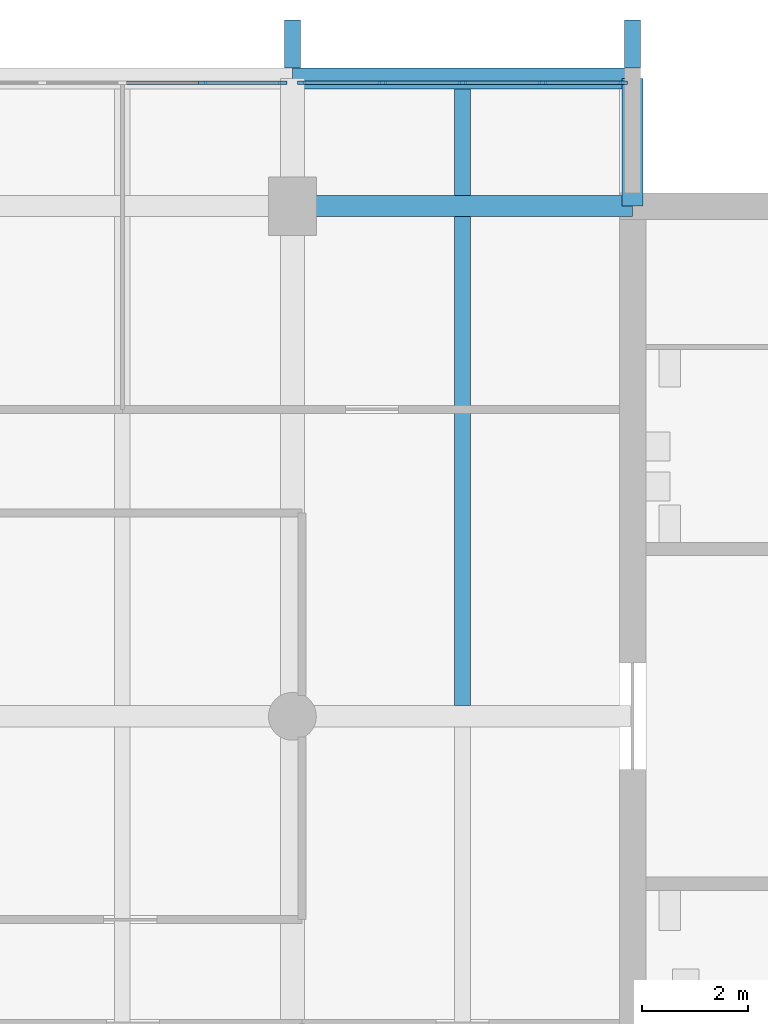
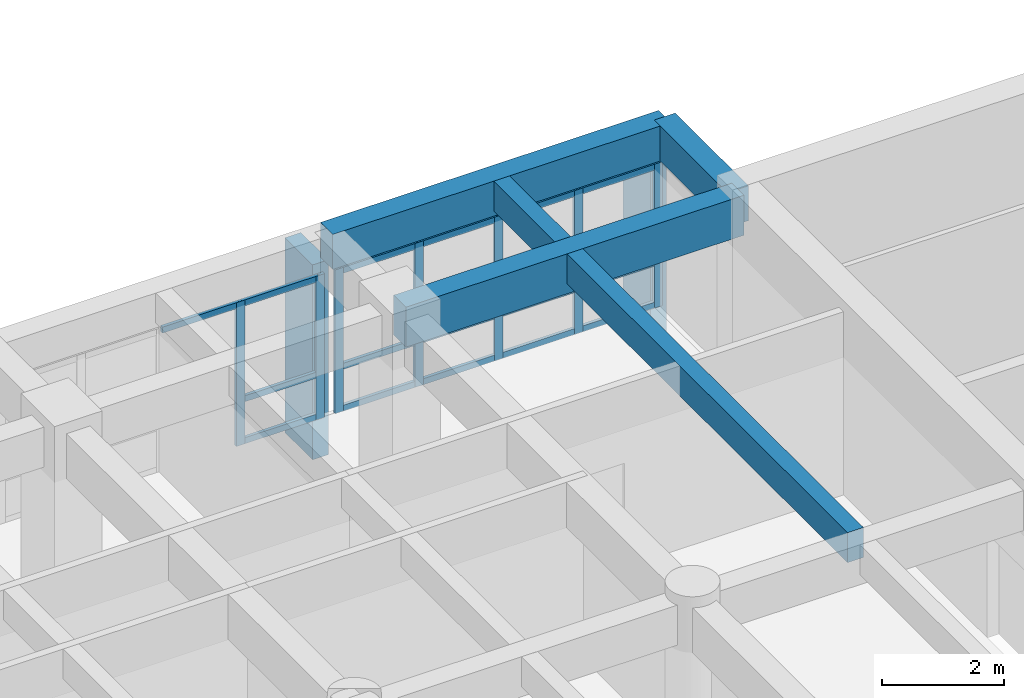
# One storey, part 6 of 15: 25 members, 5 beams, 2 elements without a shape of their own.
"""IFC4 building model written with IfcOpenShell, lengths in metres."""

from ifc_helpers import new_model, si_unit, direction, frame, origin, origin_2d, place, context, subcontext, project, spatial, rectangle, extrude, material, layer, layer_set, material_profile, profile_set, type_object, element, aggregate, save


model = new_model("IFC4")

# Units and contexts
model_context = context("Model", 3, precision=1e-05, world=origin(), true_north=direction((0.0, 1.0)))
body_context = subcontext(model_context, "Body", "Model", "MODEL_VIEW")
ifc_project = project(units=[si_unit("LENGTHUNIT", "METRE"), si_unit("AREAUNIT", "SQUARE_METRE"), si_unit("VOLUMEUNIT", "CUBIC_METRE"), si_unit("PLANEANGLEUNIT", "RADIAN"), si_unit("MASSUNIT", "GRAM", prefix="KILO")], contexts=[model_context])

# Site, building, storey
site_placement = place(None, origin())
site = spatial("IfcSite", under=ifc_project, at=site_placement, CompositionType="ELEMENT")
building_placement = place(site_placement, origin())
building = spatial("IfcBuilding", under=site, at=building_placement, Name="Fogon Plaza Fire Station and Headquarters Tower", CompositionType="ELEMENT")
storey_placement = place(building_placement, frame((0.0, 0.0, 48.300048828125)))
storey = spatial("IfcBuildingStorey", under=building, at=storey_placement, Name="L12", CompositionType="ELEMENT", Elevation=48.300048828125)

# Beams
ifc_material_1 = material(Name="Concrete C40", Category="concrete")
ifc_material_profile_1 = material_profile(ifc_material_1, rectangle(XDim=0.39990234375, YDim=0.699951171875, at=origin_2d()), Name="RC 400x700")
ifc_profile_set_1 = profile_set([ifc_material_profile_1], Name="Concrete C40")
beam_type_1 = type_object("IfcBeamType", Name="BEAM RC 400x700", PredefinedType="BEAM", material=ifc_profile_set_1)
beam_1_placement = place(storey_placement, frame((57.60009765625, 55.199951171875, 3.329833984375), z_axis=(1.0, 0.0, 0.0), x_axis=(0.0, 1.0, 0.0)))
element("IfcBeam", 1, at=beam_1_placement, inside=storey, type_object=beam_type_1, Name="beam-L12-050", PredefinedType="BEAM", context=body_context, shape_type="SweptSolid", body=[
    extrude(rectangle(XDim=0.39990234375, YDim=0.699951171875, at=origin_2d()), origin(), (0.0, 0.0, 1.0), 6.39990234375),
])
ifc_material_2 = material(Name="Concrete C40", Category="concrete")
ifc_material_profile_2 = material_profile(ifc_material_2, rectangle(XDim=0.39990234375, YDim=0.699951171875, at=origin_2d()), Name="RC 400x700")
ifc_profile_set_2 = profile_set([ifc_material_profile_2], Name="Concrete C40")
beam_type_2 = type_object("IfcBeamType", Name="BEAM RC 400x700 SPAN 0.0 TO 3.0 M", PredefinedType="BEAM", material=ifc_profile_set_2)
beam_2_placement = place(storey_placement, frame((64.0, 52.800048828125, 3.329833984375), z_axis=(0.0, 1.0, 0.0), x_axis=(-1.0, 0.0, 0.0)))
element("IfcBeam", 2, at=beam_2_placement, inside=storey, type_object=beam_type_2, Name="beam-L12-054", PredefinedType="BEAM", context=body_context, shape_type="SweptSolid", body=[
    extrude(rectangle(XDim=0.39990234375, YDim=0.699951171875, at=origin_2d()), origin(), (0.0, 0.0, 1.0), 2.39990234375),
])
ifc_material_3 = material(Name="Concrete C40", Category="concrete")
ifc_material_profile_3 = material_profile(ifc_material_3, rectangle(XDim=0.39990234375, YDim=0.800048828125, at=origin_2d()), Name="RC 400x800")
ifc_profile_set_3 = profile_set([ifc_material_profile_3], Name="Concrete C40")
beam_type_3 = type_object("IfcBeamType", Name="BEAM RC 400x800", PredefinedType="BEAM", material=ifc_profile_set_3)
beam_3_placement = place(storey_placement, frame((57.60009765625, 52.800048828125, 3.280029296875), z_axis=(1.0, 0.0, 0.0), x_axis=(0.0, 1.0, 0.0)))
element("IfcBeam", 3, at=beam_3_placement, inside=storey, type_object=beam_type_3, Name="beam-L12-038", PredefinedType="BEAM", context=body_context, shape_type="SweptSolid", body=[
    extrude(rectangle(XDim=0.39990234375, YDim=0.800048828125, at=origin_2d()), origin(), (0.0, 0.0, 1.0), 6.39990234375),
])

# Curtain wall, members
ifc_material_4 = material(Name="Aluminium and glass", Category="aluminium")
ifc_layer = layer(ifc_material_4, 0.14990234375)
ifc_layer_set = layer_set([ifc_layer], Name="Aluminium and glass")
curtain_wall_type = type_object("IfcCurtainWallType", Name="Unitised Curtain Wall Run 6100x2880", PredefinedType="NOTDEFINED", material=ifc_layer_set)
curtain_wall_1_placement = place(storey_placement, origin())
curtain_wall_1 = element("IfcCurtainWall", 4, at=curtain_wall_1_placement, inside=storey, type_object=curtain_wall_type, Name="CW-6100x2880 N5 L12", PredefinedType="NOTDEFINED")
ifc_material_5 = material(Name="Aluminium", Category="aluminium")
ifc_material_profile_4 = material_profile(ifc_material_5, rectangle(XDim=0.06005859375, YDim=0.159912109375, at=origin_2d()), Name="Curtain Wall Mullion 60x160")
ifc_profile_set_4 = profile_set([ifc_material_profile_4], Name="Aluminium")
member_type_1 = type_object("IfcMemberType", Name="Curtain Wall Mullion 60x160", PredefinedType="MULLION", material=ifc_profile_set_4)
member_1_placement = place(storey_placement, frame((55.909912109375, 55.1201171875, 0.0), z_axis=(0.0, 0.0, 1.0), x_axis=(0.0, 1.0, 0.0)))
member_1 = element("IfcMember", 5, at=member_1_placement, type_object=member_type_1, Name="CW-6100x2880 mullion 4", PredefinedType="MULLION", context=body_context, shape_type="SweptSolid", body=[
    extrude(rectangle(XDim=0.06005859375, YDim=0.159912109375, at=origin_2d()), origin(), (0.0, 0.0, 1.0), 2.8798828125),
])
member_2_placement = place(storey_placement, frame((57.419921875, 55.1201171875, 0.0), z_axis=(0.0, 0.0, 1.0), x_axis=(0.0, 1.0, 0.0)))
member_2 = element("IfcMember", 6, at=member_2_placement, type_object=member_type_1, Name="CW-6100x2880 mullion 5", PredefinedType="MULLION", context=body_context, shape_type="SweptSolid", body=[
    extrude(rectangle(XDim=0.06005859375, YDim=0.159912109375, at=origin_2d()), origin(), (0.0, 0.0, 1.0), 2.8798828125),
])

curtain_wall_2_placement = place(storey_placement, origin())
curtain_wall_2 = element("IfcCurtainWall", 7, at=curtain_wall_2_placement, inside=storey, type_object=curtain_wall_type, Name="CW-6100x2880 N6 L12", PredefinedType="NOTDEFINED")
member_3_placement = place(storey_placement, frame((57.780029296875, 55.1201171875, 0.0), z_axis=(0.0, 0.0, 1.0), x_axis=(0.0, 1.0, 0.0)))
member_3 = element("IfcMember", 8, at=member_3_placement, type_object=member_type_1, Name="CW-6100x2880 mullion 1", PredefinedType="MULLION", context=body_context, shape_type="SweptSolid", body=[
    extrude(rectangle(XDim=0.06005859375, YDim=0.159912109375, at=origin_2d()), origin(), (0.0, 0.0, 1.0), 2.8798828125),
])
member_4_placement = place(storey_placement, frame((59.2900390625, 55.1201171875, 0.0), z_axis=(0.0, 0.0, 1.0), x_axis=(0.0, 1.0, 0.0)))
member_4 = element("IfcMember", 9, at=member_4_placement, type_object=member_type_1, Name="CW-6100x2880 mullion 2", PredefinedType="MULLION", context=body_context, shape_type="SweptSolid", body=[
    extrude(rectangle(XDim=0.06005859375, YDim=0.159912109375, at=origin_2d()), origin(), (0.0, 0.0, 1.0), 2.8798828125),
])
member_5_placement = place(storey_placement, frame((60.800048828125, 55.1201171875, 0.0), z_axis=(0.0, 0.0, 1.0), x_axis=(0.0, 1.0, 0.0)))
member_5 = element("IfcMember", 10, at=member_5_placement, type_object=member_type_1, Name="CW-6100x2880 mullion 3", PredefinedType="MULLION", context=body_context, shape_type="SweptSolid", body=[
    extrude(rectangle(XDim=0.06005859375, YDim=0.159912109375, at=origin_2d()), origin(), (0.0, 0.0, 1.0), 2.8798828125),
])
member_6_placement = place(storey_placement, frame((62.31005859375, 55.1201171875, 0.0), z_axis=(0.0, 0.0, 1.0), x_axis=(0.0, 1.0, 0.0)))
member_6 = element("IfcMember", 11, at=member_6_placement, type_object=member_type_1, Name="CW-6100x2880 mullion 4", PredefinedType="MULLION", context=body_context, shape_type="SweptSolid", body=[
    extrude(rectangle(XDim=0.06005859375, YDim=0.159912109375, at=origin_2d()), origin(), (0.0, 0.0, 1.0), 2.8798828125),
])
member_7_placement = place(storey_placement, frame((63.820068359375, 55.1201171875, 0.0), z_axis=(0.0, 0.0, 1.0), x_axis=(0.0, 1.0, 0.0)))
member_7 = element("IfcMember", 12, at=member_7_placement, type_object=member_type_1, Name="CW-6100x2880 mullion 5", PredefinedType="MULLION", context=body_context, shape_type="SweptSolid", body=[
    extrude(rectangle(XDim=0.06005859375, YDim=0.159912109375, at=origin_2d()), origin(), (0.0, 0.0, 1.0), 2.8798828125),
])

# Member
ifc_material_6 = material(Name="Aluminium", Category="aluminium")
ifc_material_profile_5 = material_profile(ifc_material_6, rectangle(XDim=0.06005859375, YDim=0.1201171875, at=origin_2d()), Name="Curtain Wall Transom 60x120")
ifc_profile_set_5 = profile_set([ifc_material_profile_5], Name="Aluminium")
member_type_2 = type_object("IfcMemberType", Name="Curtain Wall Transom 60x120", PredefinedType="USERDEFINED", material=ifc_profile_set_5)
member_8_placement = place(storey_placement, frame((54.429931640625, 55.1201171875, 2.820068359375), z_axis=(1.0, 0.0, 0.0), x_axis=(0.0, 1.0, 0.0)))
member_8 = element("IfcMember", 13, at=member_8_placement, type_object=member_type_2, Name="CW-6100x2880 transom 3.3", ObjectType="TRANSOM", PredefinedType="USERDEFINED", context=body_context, shape_type="SweptSolid", body=[
    extrude(rectangle(XDim=0.06005859375, YDim=0.1201171875, at=origin_2d()), origin(), (0.0, 0.0, 1.0), 1.449951171875),
])

member_9_placement = place(storey_placement, frame((55.93994140625, 55.1201171875, 0.06005859375), z_axis=(1.0, 0.0, 0.0), x_axis=(0.0, 1.0, 0.0)))
member_9 = element("IfcMember", 14, at=member_9_placement, type_object=member_type_2, Name="CW-6100x2880 transom 4.1", ObjectType="TRANSOM", PredefinedType="USERDEFINED", context=body_context, shape_type="SweptSolid", body=[
    extrude(rectangle(XDim=0.06005859375, YDim=0.1201171875, at=origin_2d()), origin(), (0.0, 0.0, 1.0), 1.449951171875),
])

member_10_placement = place(storey_placement, frame((55.93994140625, 55.1201171875, 0.89990234375), z_axis=(1.0, 0.0, 0.0), x_axis=(0.0, 1.0, 0.0)))
member_10 = element("IfcMember", 15, at=member_10_placement, type_object=member_type_2, Name="CW-6100x2880 transom 4.2", ObjectType="TRANSOM", PredefinedType="USERDEFINED", context=body_context, shape_type="SweptSolid", body=[
    extrude(rectangle(XDim=0.06005859375, YDim=0.1201171875, at=origin_2d()), origin(), (0.0, 0.0, 1.0), 1.449951171875),
])

member_11_placement = place(storey_placement, frame((55.93994140625, 55.1201171875, 2.820068359375), z_axis=(1.0, 0.0, 0.0), x_axis=(0.0, 1.0, 0.0)))
member_11 = element("IfcMember", 16, at=member_11_placement, type_object=member_type_2, Name="CW-6100x2880 transom 4.3", ObjectType="TRANSOM", PredefinedType="USERDEFINED", context=body_context, shape_type="SweptSolid", body=[
    extrude(rectangle(XDim=0.06005859375, YDim=0.1201171875, at=origin_2d()), origin(), (0.0, 0.0, 1.0), 1.449951171875),
])

aggregate(curtain_wall_1, [member_1, member_2, member_8, member_9, member_10, member_11])

member_12_placement = place(storey_placement, frame((57.81005859375, 55.1201171875, 0.06005859375), z_axis=(1.0, 0.0, 0.0), x_axis=(0.0, 1.0, 0.0)))
member_12 = element("IfcMember", 17, at=member_12_placement, type_object=member_type_2, Name="CW-6100x2880 transom 1.1", ObjectType="TRANSOM", PredefinedType="USERDEFINED", context=body_context, shape_type="SweptSolid", body=[
    extrude(rectangle(XDim=0.06005859375, YDim=0.1201171875, at=origin_2d()), origin(), (0.0, 0.0, 1.0), 1.449951171875),
])

member_13_placement = place(storey_placement, frame((57.81005859375, 55.1201171875, 0.89990234375), z_axis=(1.0, 0.0, 0.0), x_axis=(0.0, 1.0, 0.0)))
member_13 = element("IfcMember", 18, at=member_13_placement, type_object=member_type_2, Name="CW-6100x2880 transom 1.2", ObjectType="TRANSOM", PredefinedType="USERDEFINED", context=body_context, shape_type="SweptSolid", body=[
    extrude(rectangle(XDim=0.06005859375, YDim=0.1201171875, at=origin_2d()), origin(), (0.0, 0.0, 1.0), 1.449951171875),
])

member_14_placement = place(storey_placement, frame((57.81005859375, 55.1201171875, 2.820068359375), z_axis=(1.0, 0.0, 0.0), x_axis=(0.0, 1.0, 0.0)))
member_14 = element("IfcMember", 19, at=member_14_placement, type_object=member_type_2, Name="CW-6100x2880 transom 1.3", ObjectType="TRANSOM", PredefinedType="USERDEFINED", context=body_context, shape_type="SweptSolid", body=[
    extrude(rectangle(XDim=0.06005859375, YDim=0.1201171875, at=origin_2d()), origin(), (0.0, 0.0, 1.0), 1.449951171875),
])

member_15_placement = place(storey_placement, frame((59.320068359375, 55.1201171875, 0.06005859375), z_axis=(1.0, 0.0, 0.0), x_axis=(0.0, 1.0, 0.0)))
member_15 = element("IfcMember", 20, at=member_15_placement, type_object=member_type_2, Name="CW-6100x2880 transom 2.1", ObjectType="TRANSOM", PredefinedType="USERDEFINED", context=body_context, shape_type="SweptSolid", body=[
    extrude(rectangle(XDim=0.06005859375, YDim=0.1201171875, at=origin_2d()), origin(), (0.0, 0.0, 1.0), 1.449951171875),
])

member_16_placement = place(storey_placement, frame((59.320068359375, 55.1201171875, 0.89990234375), z_axis=(1.0, 0.0, 0.0), x_axis=(0.0, 1.0, 0.0)))
member_16 = element("IfcMember", 21, at=member_16_placement, type_object=member_type_2, Name="CW-6100x2880 transom 2.2", ObjectType="TRANSOM", PredefinedType="USERDEFINED", context=body_context, shape_type="SweptSolid", body=[
    extrude(rectangle(XDim=0.06005859375, YDim=0.1201171875, at=origin_2d()), origin(), (0.0, 0.0, 1.0), 1.449951171875),
])

member_17_placement = place(storey_placement, frame((59.320068359375, 55.1201171875, 2.820068359375), z_axis=(1.0, 0.0, 0.0), x_axis=(0.0, 1.0, 0.0)))
member_17 = element("IfcMember", 22, at=member_17_placement, type_object=member_type_2, Name="CW-6100x2880 transom 2.3", ObjectType="TRANSOM", PredefinedType="USERDEFINED", context=body_context, shape_type="SweptSolid", body=[
    extrude(rectangle(XDim=0.06005859375, YDim=0.1201171875, at=origin_2d()), origin(), (0.0, 0.0, 1.0), 1.449951171875),
])

member_18_placement = place(storey_placement, frame((60.830078125, 55.1201171875, 0.06005859375), z_axis=(1.0, 0.0, 0.0), x_axis=(0.0, 1.0, 0.0)))
member_18 = element("IfcMember", 23, at=member_18_placement, type_object=member_type_2, Name="CW-6100x2880 transom 3.1", ObjectType="TRANSOM", PredefinedType="USERDEFINED", context=body_context, shape_type="SweptSolid", body=[
    extrude(rectangle(XDim=0.06005859375, YDim=0.1201171875, at=origin_2d()), origin(), (0.0, 0.0, 1.0), 1.449951171875),
])

member_19_placement = place(storey_placement, frame((60.830078125, 55.1201171875, 0.89990234375), z_axis=(1.0, 0.0, 0.0), x_axis=(0.0, 1.0, 0.0)))
member_19 = element("IfcMember", 24, at=member_19_placement, type_object=member_type_2, Name="CW-6100x2880 transom 3.2", ObjectType="TRANSOM", PredefinedType="USERDEFINED", context=body_context, shape_type="SweptSolid", body=[
    extrude(rectangle(XDim=0.06005859375, YDim=0.1201171875, at=origin_2d()), origin(), (0.0, 0.0, 1.0), 1.449951171875),
])

member_20_placement = place(storey_placement, frame((60.830078125, 55.1201171875, 2.820068359375), z_axis=(1.0, 0.0, 0.0), x_axis=(0.0, 1.0, 0.0)))
member_20 = element("IfcMember", 25, at=member_20_placement, type_object=member_type_2, Name="CW-6100x2880 transom 3.3", ObjectType="TRANSOM", PredefinedType="USERDEFINED", context=body_context, shape_type="SweptSolid", body=[
    extrude(rectangle(XDim=0.06005859375, YDim=0.1201171875, at=origin_2d()), origin(), (0.0, 0.0, 1.0), 1.449951171875),
])

member_21_placement = place(storey_placement, frame((62.340087890625, 55.1201171875, 0.06005859375), z_axis=(1.0, 0.0, 0.0), x_axis=(0.0, 1.0, 0.0)))
member_21 = element("IfcMember", 26, at=member_21_placement, type_object=member_type_2, Name="CW-6100x2880 transom 4.1", ObjectType="TRANSOM", PredefinedType="USERDEFINED", context=body_context, shape_type="SweptSolid", body=[
    extrude(rectangle(XDim=0.06005859375, YDim=0.1201171875, at=origin_2d()), origin(), (0.0, 0.0, 1.0), 1.449951171875),
])

member_22_placement = place(storey_placement, frame((62.340087890625, 55.1201171875, 0.89990234375), z_axis=(1.0, 0.0, 0.0), x_axis=(0.0, 1.0, 0.0)))
member_22 = element("IfcMember", 27, at=member_22_placement, type_object=member_type_2, Name="CW-6100x2880 transom 4.2", ObjectType="TRANSOM", PredefinedType="USERDEFINED", context=body_context, shape_type="SweptSolid", body=[
    extrude(rectangle(XDim=0.06005859375, YDim=0.1201171875, at=origin_2d()), origin(), (0.0, 0.0, 1.0), 1.449951171875),
])

member_23_placement = place(storey_placement, frame((62.340087890625, 55.1201171875, 2.820068359375), z_axis=(1.0, 0.0, 0.0), x_axis=(0.0, 1.0, 0.0)))
member_23 = element("IfcMember", 28, at=member_23_placement, type_object=member_type_2, Name="CW-6100x2880 transom 4.3", ObjectType="TRANSOM", PredefinedType="USERDEFINED", context=body_context, shape_type="SweptSolid", body=[
    extrude(rectangle(XDim=0.06005859375, YDim=0.1201171875, at=origin_2d()), origin(), (0.0, 0.0, 1.0), 1.449951171875),
])

aggregate(curtain_wall_2, [member_3, member_4, member_5, member_6, member_7, member_12, member_13, member_14, member_15, member_16, member_17, member_18, member_19, member_20, member_21, member_22, member_23])

# Beams
ifc_material_7 = material(Name="Concrete C40", Category="concrete")
ifc_material_profile_6 = material_profile(ifc_material_7, rectangle(XDim=0.300048828125, YDim=0.60009765625, at=origin_2d()), Name="RC 300x600")
ifc_profile_set_6 = profile_set([ifc_material_profile_6], Name="Concrete C40")
beam_type_4 = type_object("IfcBeamType", Name="JOIST RC 300x600", PredefinedType="JOIST", material=ifc_profile_set_6)
beam_4_placement = place(storey_placement, frame((60.800048828125, 43.39990234375, 3.3798828125), z_axis=(0.0, 1.0, 0.0), x_axis=(-1.0, 0.0, 0.0)))
element("IfcBeam", 29, at=beam_4_placement, inside=storey, type_object=beam_type_4, Name="beam-L12-077", PredefinedType="JOIST", context=body_context, shape_type="SweptSolid", body=[
    extrude(rectangle(XDim=0.300048828125, YDim=0.60009765625, at=origin_2d()), origin(), (0.0, 0.0, 1.0), 9.2001953125),
])
ifc_material_8 = material(Name="Concrete C40", Category="concrete")
ifc_material_profile_7 = material_profile(ifc_material_8, rectangle(XDim=0.300048828125, YDim=0.60009765625, at=origin_2d()), Name="RC 300x600")
ifc_profile_set_7 = profile_set([ifc_material_profile_7], Name="Concrete C40")
beam_type_5 = type_object("IfcBeamType", Name="JOIST RC 300x600 SPAN 0.0 TO 3.0 M", PredefinedType="JOIST", material=ifc_profile_set_7)
beam_5_placement = place(storey_placement, frame((60.800048828125, 53.0, 3.3798828125), z_axis=(0.0, 1.0, 0.0), x_axis=(-1.0, 0.0, 0.0)))
element("IfcBeam", 30, at=beam_5_placement, inside=storey, type_object=beam_type_5, Name="beam-L12-078", PredefinedType="JOIST", context=body_context, shape_type="SweptSolid", body=[
    extrude(rectangle(XDim=0.300048828125, YDim=0.60009765625, at=origin_2d()), origin(), (0.0, 0.0, 1.0), 2.0),
])

# Members
ifc_material_9 = material(Name="Concrete C40 precast", Category="concrete")
ifc_material_profile_8 = material_profile(ifc_material_9, rectangle(XDim=0.300048828125, YDim=0.89990234375, at=origin_2d()), Name="Precast Concrete Post 300x900")
ifc_profile_set_8 = profile_set([ifc_material_profile_8], Name="Concrete C40 precast")
member_type_3 = type_object("IfcMemberType", Name="Precast Concrete Post 300x900", PredefinedType="POST", material=ifc_profile_set_8)
for number, where, z_axis, x_axis, name in (
    (31, (57.60009765625, 55.85009765625, -1.02001953125), (0.0, 0.0, 1.0), (1.0, 0.0, 0.0), "Precast Post N L12"),
    (32, (64.0, 55.85009765625, -1.02001953125), (0.0, 0.0, 1.0), (1.0, 0.0, 0.0), "Precast Post N L12"),
):
    element("IfcMember", number, at=place(storey_placement, frame(where, z_axis=z_axis, x_axis=x_axis)), inside=storey, type_object=member_type_3, Name=name, PredefinedType="POST", context=body_context, shape_type="SweptSolid", body=[
        extrude(rectangle(XDim=0.300048828125, YDim=0.89990234375, at=origin_2d()), origin(), (0.0, 0.0, 1.0), 3.89990234375),
    ])

save(model, "model.ifc")
